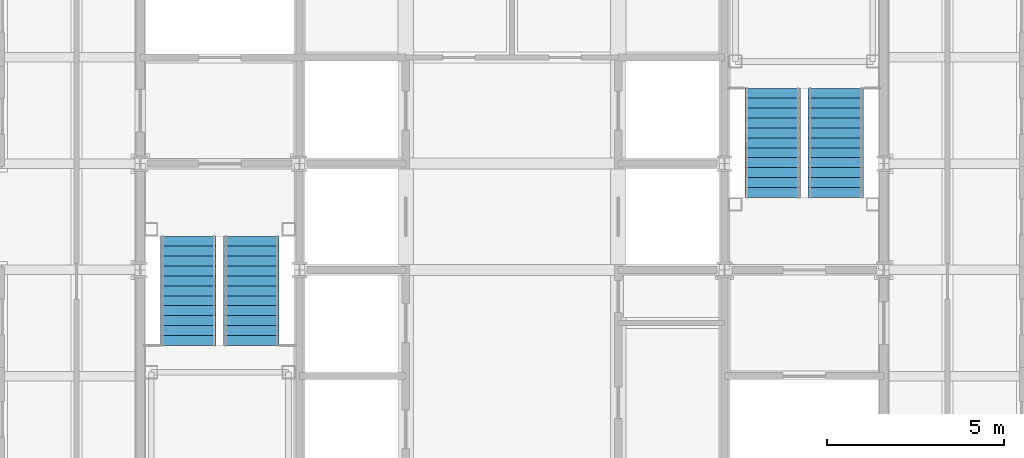
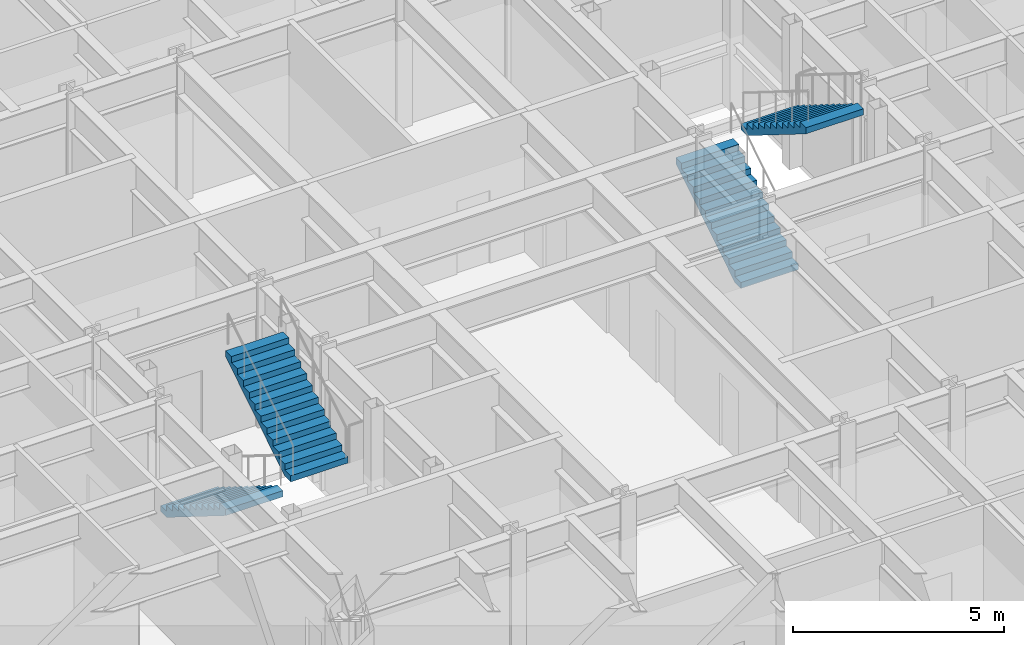
# One storey, part 13 of 15: 4 stair flights, 2 elements without a shape of their own.
"""IFC4 building model written with IfcOpenShell, lengths in metres."""

import ifcopenshell
import ifcopenshell.guid

model = None  # the IFC model being written
_history = None  # IfcOwnerHistory: only IFC2X3 demands one
_inside = {}  # id of a spatial element -> (the spatial element, [elements in it])
_under = {}  # id of a project, library or spatial element -> (it, [spatial elements below it])
_declared = {}  # id of a project -> (the project, [libraries it declares])
_typed = {}  # id of a type object -> (the type object, [elements of that type])
_made_of = {}  # id of a material, layer set ... -> (it, [elements and type objects made of it])


def new_model(schema):
    """Start an empty IFC model of exactly this schema.

    Asked for "IFC4X3", IfcOpenShell would pick the latest addendum, in which some entities
    have other attributes; the version numbers below select the first issue.
    IFC2X3 requires an IfcOwnerHistory on every rooted entity: one is made here for all.
    """
    global model, _history
    if schema == "IFC4X3":
        model = ifcopenshell.file(schema_version=(4, 3, 0, 0))
    else:
        model = ifcopenshell.file(schema=schema)
    _inside.clear()
    _under.clear()
    _declared.clear()
    _typed.clear()
    _made_of.clear()
    _history = None
    if model.schema == "IFC2X3":
        org = make("IfcOrganization", Name="unknown")
        user = make(
            "IfcPersonAndOrganization",
            ThePerson=make("IfcPerson", FamilyName="unknown"),
            TheOrganization=org,
        )
        app = make(
            "IfcApplication",
            ApplicationDeveloper=org,
            Version="unknown",
            ApplicationFullName="unknown",
            ApplicationIdentifier="unknown",
        )
        _history = make(
            "IfcOwnerHistory",
            OwningUser=user,
            OwningApplication=app,
            ChangeAction="ADDED",
            CreationDate=0,
        )
    return model


def make(cls, **values):
    """One entity of the class cls with the attributes given. An attribute that is None is left unset."""
    return model.create_entity(
        cls, **{name: value for name, value in values.items() if value is not None}
    )


def rooted(cls, **values):
    """An entity with a GlobalId (a new one), such as an element, a storey or a relation."""
    return make(cls, GlobalId=ifcopenshell.guid.new(), OwnerHistory=_history, **values)


def si_unit(unit_type, name, prefix=None):
    """IfcSIUnit, for example si_unit("LENGTHUNIT", "METRE", prefix="MILLI")."""
    return make("IfcSIUnit", UnitType=unit_type, Prefix=prefix, Name=name)


def assignment(units):
    """IfcUnitAssignment: the units of a project."""
    return None if units is None else make("IfcUnitAssignment", Units=units)


def point(xyz):
    """IfcCartesianPoint."""
    return None if xyz is None else make("IfcCartesianPoint", Coordinates=xyz)


def direction(xyz):
    """IfcDirection."""
    return None if xyz is None else make("IfcDirection", DirectionRatios=xyz)


def frame(location, z_axis=None, x_axis=None):
    """IfcAxis2Placement3D, a coordinate frame: its origin and axes. An axis left out is left unset."""
    return make(
        "IfcAxis2Placement3D",
        Location=point(location),
        Axis=direction(z_axis),
        RefDirection=direction(x_axis),
    )


def origin():
    """The frame at (0, 0, 0) with its axes left unset."""
    return frame((0.0, 0.0, 0.0))


def place(relative_to, where):
    """IfcLocalPlacement: puts the frame where relative to a parent placement (None: the world)."""
    return make(
        "IfcLocalPlacement", PlacementRelTo=relative_to, RelativePlacement=where
    )


def context(
    kind, dimensions, precision=None, world=None, true_north=None, identifier=None
):
    """IfcGeometricRepresentationContext, for example the 3D "Model" context."""
    return make(
        "IfcGeometricRepresentationContext",
        ContextIdentifier=identifier,
        ContextType=kind,
        CoordinateSpaceDimension=dimensions,
        Precision=precision,
        WorldCoordinateSystem=world,
        TrueNorth=true_north,
    )


def subcontext(parent, identifier, kind, view, scale=None):
    """IfcGeometricRepresentationSubContext, for example "Body" below "Model"."""
    return make(
        "IfcGeometricRepresentationSubContext",
        ContextIdentifier=identifier,
        ContextType=kind,
        ParentContext=parent,
        TargetScale=scale,
        TargetView=view,
    )


def project(units=None, contexts=None):
    """IfcProject with its units and contexts."""
    return rooted(
        "IfcProject",
        Name="project",
        RepresentationContexts=contexts,
        UnitsInContext=assignment(units),
    )


def spatial(cls, under=None, at=None, **own):
    """A site, building, storey or space (cls), placed at a placement, below another one or the project."""
    s = rooted(cls, ObjectPlacement=at, **own)
    if under is not None:
        _under.setdefault(under.id(), (under, []))[1].append(s)
    return s


def faces_of(points, faces, orient=None, outer=None):
    """IfcFace entities. A face is a list of loops; a loop is a list of indices into points, from 0.

    orient and outer hold one flag for each loop. By default every Orientation is true, the
    first loop of a face is its IfcFaceOuterBound and the others are IfcFaceBound.
    """
    made = []
    for i, loops in enumerate(faces):
        bounds = []
        for j, loop in enumerate(loops):
            is_outer = j == 0 if outer is None else outer[i][j]
            bounds.append(
                make(
                    "IfcFaceOuterBound" if is_outer else "IfcFaceBound",
                    Bound=make("IfcPolyLoop", Polygon=[points[k] for k in loop]),
                    Orientation=True if orient is None else orient[i][j],
                )
            )
        made.append(make("IfcFace", Bounds=bounds))
    return made


def faceted_brep(points, faces, orient=None, outer=None, voids=None):
    """IfcFacetedBrep: a solid bounded by flat faces; with voids (closed shells), ...WithVoids."""
    shared = [point(p) for p in points]
    hull = make("IfcClosedShell", CfsFaces=faces_of(shared, faces, orient, outer))
    if voids is None:
        return make("IfcFacetedBrep", Outer=hull)
    return make(
        "IfcFacetedBrepWithVoids",
        Outer=hull,
        Voids=[
            make(cls, CfsFaces=faces_of(shared, fs, o, b)) for cls, fs, o, b in voids
        ],
    )


def shape(context_of_items, identifier, shape_type, items):
    """IfcShapeRepresentation: the items that make up one representation, for example the "Body"."""
    return make(
        "IfcShapeRepresentation",
        ContextOfItems=context_of_items,
        RepresentationIdentifier=identifier,
        RepresentationType=shape_type,
        Items=items,
    )


def material(Name=None, Category=None):
    """IfcMaterial."""
    return make("IfcMaterial", Name=Name, Category=Category)


def made_of(thing, what):
    """Note that an element or type object is made of a material, layer set ...; save() writes the relation."""
    if what is not None:
        _made_of.setdefault(what.id(), (what, []))[1].append(thing)
    return thing


def type_object(cls, material=None, **own):
    """A type object (cls), such as IfcWallType, which elements share."""
    return made_of(rooted(cls, **own), material)


def element(
    cls,
    number,
    at=None,
    inside=None,
    cuts=None,
    type_object=None,
    material=None,
    context=None,
    identifier="Body",
    shape_type=None,
    held_by="IfcProductDefinitionShape",
    body=None,
    shapes=None,
    **own,
):
    """One element of the class cls, such as IfcWall. Its Tag is "e" and its number.

    at: its placement. inside: the storey or other place that contains it. cuts: it is an
    opening in that element (IfcRelVoidsElement). A single representation is given by context,
    identifier, shape_type and body (its items); several are given by shapes. held_by: the class
    of the entity that holds the representations. save() writes the other relations.
    """
    e = rooted(cls, Tag="e%d" % number, ObjectPlacement=at, **own)
    if body is not None:
        shapes = [shape(context, identifier, shape_type, body)]
    if shapes is not None:
        e.Representation = make(held_by, Representations=shapes)
    if inside is not None:
        _inside.setdefault(inside.id(), (inside, []))[1].append(e)
    if cuts is not None:
        rooted(
            "IfcRelVoidsElement", RelatingBuildingElement=cuts, RelatedOpeningElement=e
        )
    if type_object is not None:
        _typed.setdefault(type_object.id(), (type_object, []))[1].append(e)
    return made_of(e, material)


def aggregate(whole, parts):
    """IfcRelAggregates: a whole, such as a stair, and the parts it consists of."""
    return rooted("IfcRelAggregates", RelatingObject=whole, RelatedObjects=parts)


def save(model, path):
    """Write the relations noted so far, then the file.

    IfcRelAggregates (storeys below a building ...), IfcRelContainedInSpatialStructure (elements
    in a storey), IfcRelDefinesByType, IfcRelAssociatesMaterial and IfcRelDeclares: one each for
    every whole, place, type object, material and project.
    """
    for whole, parts in _under.values():
        aggregate(whole, parts)
    for where, things in _inside.values():
        rooted(
            "IfcRelContainedInSpatialStructure",
            RelatedElements=things,
            RelatingStructure=where,
        )
    for kind, things in _typed.values():
        rooted("IfcRelDefinesByType", RelatedObjects=things, RelatingType=kind)
    for what, things in _made_of.values():
        rooted("IfcRelAssociatesMaterial", RelatedObjects=things, RelatingMaterial=what)
    for by, libraries in _declared.values():
        rooted("IfcRelDeclares", RelatingContext=by, RelatedDefinitions=libraries)
    model.write(path)


model = new_model("IFC4")

# Units and contexts
model_context = context("Model", 3, precision=1e-05, world=origin(), true_north=direction((0.0, 1.0)))
body_context = subcontext(model_context, "Body", "Model", "MODEL_VIEW")
ifc_project = project(units=[si_unit("LENGTHUNIT", "METRE"), si_unit("AREAUNIT", "SQUARE_METRE"), si_unit("VOLUMEUNIT", "CUBIC_METRE"), si_unit("PLANEANGLEUNIT", "RADIAN"), si_unit("MASSUNIT", "GRAM", prefix="KILO")], contexts=[model_context])

# Site, building, storey
site_placement = place(None, origin())
site = spatial("IfcSite", under=ifc_project, at=site_placement, CompositionType="ELEMENT")
building_placement = place(site_placement, origin())
building = spatial("IfcBuilding", under=site, at=building_placement, Name="Chuquiago Exchange Tower", CompositionType="ELEMENT")
storey_placement = place(building_placement, frame((0.0, 0.0, 295.800048828125)))
storey = spatial("IfcBuildingStorey", under=building, at=storey_placement, Name="L66", CompositionType="ELEMENT", Elevation=295.800048828125)

# Stair, stair flights
ifc_material_1 = material(Name="Concrete C30/37, precast", Category="concrete")
stair_type_1 = type_object("IfcStairType", Name="ST1 half-turn stair 4200", PredefinedType="HALF_TURN_STAIR", material=ifc_material_1)
stair_1_placement = place(storey_placement, origin())
stair_1 = element("IfcStair", 1, at=stair_1_placement, inside=storey, type_object=stair_type_1, Name="Stair ST1 L66", PredefinedType="HALF_TURN_STAIR")
ifc_material_2 = material(Name="Concrete C30/37, precast", Category="concrete")
stair_flight_type = type_object("IfcStairFlightType", Name="ST-F flight 1570 for 4200 storey", PredefinedType="STRAIGHT", material=ifc_material_2)
stair_flight_1_placement = place(storey_placement, frame((13.360107421875, 21.949951171875, 0.0), z_axis=(0.0, 0.0, 1.0), x_axis=(0.0, -1.0, 0.0)))
stair_flight_1 = element("IfcStairFlight", 2, at=stair_flight_1_placement, type_object=stair_flight_type, Name="ST1 flight 1", NumberOfRisers=12, NumberOfTreads=11, PredefinedType="STRAIGHT", RiserHeight=0.175, TreadLength=0.28, context=body_context, shape_type="Brep", body=[
    faceted_brep([(0.0, 0.78515625, 0.0), (0.0, 0.78515625, 0.175048828125), (0.280029296875, 0.78515625, 0.175048828125), (0.280029296875, 0.78515625, 0.35009765625), (0.56005859375, 0.78515625, 0.35009765625), (0.56005859375, 0.78515625, 0.52490234375), (0.840087890625, 0.78515625, 0.52490234375), (0.840087890625, 0.78515625, 0.699951171875), (1.1201171875, 0.78515625, 0.699951171875), (1.1201171875, 0.78515625, 0.875), (1.39990234375, 0.78515625, 0.875), (1.39990234375, 0.78515625, 1.050048828125), (1.679931640625, 0.78515625, 1.050048828125), (1.679931640625, 0.78515625, 1.22509765625), (1.9599609375, 0.78515625, 1.22509765625), (1.9599609375, 0.78515625, 1.39990234375), (2.239990234375, 0.78515625, 1.39990234375), (2.239990234375, 0.78515625, 1.574951171875), (2.52001953125, 0.78515625, 1.574951171875), (2.52001953125, 0.78515625, 1.75), (2.800048828125, 0.78515625, 1.75), (2.800048828125, 0.78515625, 1.925048828125), (3.080078125, 0.78515625, 1.925048828125), (3.080078125, 0.78515625, 1.748291015625), (0.28271484375, 0.78515625, 0.0), (0.28271484375, -0.78515625, 0.0), (3.080078125, -0.78515625, 1.748291015625), (3.080078125, -0.78515625, 1.925048828125), (2.800048828125, -0.78515625, 1.925048828125), (2.800048828125, -0.78515625, 1.75), (2.52001953125, -0.78515625, 1.75), (2.52001953125, -0.78515625, 1.574951171875), (2.239990234375, -0.78515625, 1.574951171875), (2.239990234375, -0.78515625, 1.39990234375), (1.9599609375, -0.78515625, 1.39990234375), (1.9599609375, -0.78515625, 1.22509765625), (1.679931640625, -0.78515625, 1.22509765625), (1.679931640625, -0.78515625, 1.050048828125), (1.39990234375, -0.78515625, 1.050048828125), (1.39990234375, -0.78515625, 0.875), (1.1201171875, -0.78515625, 0.875), (1.1201171875, -0.78515625, 0.699951171875), (0.840087890625, -0.78515625, 0.699951171875), (0.840087890625, -0.78515625, 0.52490234375), (0.56005859375, -0.78515625, 0.52490234375), (0.56005859375, -0.78515625, 0.35009765625), (0.280029296875, -0.78515625, 0.35009765625), (0.280029296875, -0.78515625, 0.175048828125), (0.0, -0.78515625, 0.175048828125), (0.0, -0.78515625, 0.0), (0.0, 0.392578125, 0.0), (0.0, 0.392578125, 0.175048828125), (0.0, 0.0, 0.0), (0.0, 0.0, 0.175048828125), (0.0, -0.392578125, 0.0), (0.0, -0.392578125, 0.175048828125), (0.280029296875, 0.392578125, 0.175048828125), (0.280029296875, 0.0, 0.175048828125), (0.280029296875, -0.392578125, 0.175048828125), (0.280029296875, 0.392578125, 0.35009765625), (0.280029296875, 0.0, 0.35009765625), (0.280029296875, -0.392578125, 0.35009765625), (0.56005859375, 0.392578125, 0.35009765625), (0.56005859375, 0.0, 0.35009765625), (0.56005859375, -0.392578125, 0.35009765625), (0.56005859375, 0.392578125, 0.52490234375), (0.56005859375, 0.0, 0.52490234375), (0.56005859375, -0.392578125, 0.52490234375), (0.840087890625, 0.392578125, 0.52490234375), (0.840087890625, 0.0, 0.52490234375), (0.840087890625, -0.392578125, 0.52490234375), (0.840087890625, 0.392578125, 0.699951171875), (0.840087890625, 0.0, 0.699951171875), (0.840087890625, -0.392578125, 0.699951171875), (1.1201171875, 0.392578125, 0.699951171875), (1.1201171875, 0.0, 0.699951171875), (1.1201171875, -0.392578125, 0.699951171875), (1.1201171875, 0.392578125, 0.875), (1.1201171875, 0.0, 0.875), (1.1201171875, -0.392578125, 0.875), (1.39990234375, 0.392578125, 0.875), (1.39990234375, 0.0, 0.875), (1.39990234375, -0.392578125, 0.875), (1.39990234375, 0.392578125, 1.050048828125), (1.39990234375, 0.0, 1.050048828125), (1.39990234375, -0.392578125, 1.050048828125), (1.679931640625, 0.392578125, 1.050048828125), (1.679931640625, 0.0, 1.050048828125), (1.679931640625, -0.392578125, 1.050048828125), (1.679931640625, 0.392578125, 1.22509765625), (1.679931640625, 0.0, 1.22509765625), (1.679931640625, -0.392578125, 1.22509765625), (1.9599609375, 0.392578125, 1.22509765625), (1.9599609375, 0.0, 1.22509765625), (1.9599609375, -0.392578125, 1.22509765625), (1.9599609375, 0.392578125, 1.39990234375), (1.9599609375, 0.0, 1.39990234375), (1.9599609375, -0.392578125, 1.39990234375), (2.239990234375, 0.392578125, 1.39990234375), (2.239990234375, 0.0, 1.39990234375), (2.239990234375, -0.392578125, 1.39990234375), (2.239990234375, 0.392578125, 1.574951171875), (2.239990234375, 0.0, 1.574951171875), (2.239990234375, -0.392578125, 1.574951171875), (2.52001953125, 0.392578125, 1.574951171875), (2.52001953125, 0.0, 1.574951171875), (2.52001953125, -0.392578125, 1.574951171875), (2.52001953125, 0.392578125, 1.75), (2.52001953125, 0.0, 1.75), (2.52001953125, -0.392578125, 1.75), (2.800048828125, 0.392578125, 1.75), (2.800048828125, 0.0, 1.75), (2.800048828125, -0.392578125, 1.75), (2.800048828125, 0.392578125, 1.925048828125), (2.800048828125, 0.0, 1.925048828125), (2.800048828125, -0.392578125, 1.925048828125), (3.080078125, 0.392578125, 1.925048828125), (3.080078125, 0.0, 1.925048828125), (3.080078125, -0.392578125, 1.925048828125), (3.080078125, 0.392578125, 1.748291015625), (3.080078125, 0.0, 1.748291015625), (3.080078125, -0.392578125, 1.748291015625), (0.28271484375, 0.392578125, 0.0), (0.28271484375, 0.0, 0.0), (0.28271484375, -0.392578125, 0.0)], [[[0, 1, 2, 3, 4, 5, 6, 7, 8, 9, 10, 11, 12, 13, 14, 15, 16, 17, 18, 19, 20, 21, 22, 23, 24]], [[25, 26, 27, 28, 29, 30, 31, 32, 33, 34, 35, 36, 37, 38, 39, 40, 41, 42, 43, 44, 45, 46, 47, 48, 49]], [[1, 0, 50, 51]], [[51, 50, 52, 53]], [[53, 52, 54, 55]], [[55, 54, 49, 48]], [[2, 1, 51, 56]], [[56, 51, 53, 57]], [[57, 53, 55, 58]], [[58, 55, 48, 47]], [[3, 2, 56, 59]], [[59, 56, 57, 60]], [[60, 57, 58, 61]], [[61, 58, 47, 46]], [[4, 3, 59, 62]], [[62, 59, 60, 63]], [[63, 60, 61, 64]], [[64, 61, 46, 45]], [[5, 4, 62, 65]], [[65, 62, 63, 66]], [[66, 63, 64, 67]], [[67, 64, 45, 44]], [[6, 5, 65, 68]], [[68, 65, 66, 69]], [[69, 66, 67, 70]], [[70, 67, 44, 43]], [[7, 6, 68, 71]], [[71, 68, 69, 72]], [[72, 69, 70, 73]], [[73, 70, 43, 42]], [[8, 7, 71, 74]], [[74, 71, 72, 75]], [[75, 72, 73, 76]], [[76, 73, 42, 41]], [[9, 8, 74, 77]], [[77, 74, 75, 78]], [[78, 75, 76, 79]], [[79, 76, 41, 40]], [[10, 9, 77, 80]], [[80, 77, 78, 81]], [[81, 78, 79, 82]], [[82, 79, 40, 39]], [[11, 10, 80, 83]], [[83, 80, 81, 84]], [[84, 81, 82, 85]], [[85, 82, 39, 38]], [[12, 11, 83, 86]], [[86, 83, 84, 87]], [[87, 84, 85, 88]], [[88, 85, 38, 37]], [[13, 12, 86, 89]], [[89, 86, 87, 90]], [[90, 87, 88, 91]], [[91, 88, 37, 36]], [[14, 13, 89, 92]], [[92, 89, 90, 93]], [[93, 90, 91, 94]], [[94, 91, 36, 35]], [[15, 14, 92, 95]], [[95, 92, 93, 96]], [[96, 93, 94, 97]], [[97, 94, 35, 34]], [[16, 15, 95, 98]], [[98, 95, 96, 99]], [[99, 96, 97, 100]], [[100, 97, 34, 33]], [[17, 16, 98, 101]], [[101, 98, 99, 102]], [[102, 99, 100, 103]], [[103, 100, 33, 32]], [[18, 17, 101, 104]], [[104, 101, 102, 105]], [[105, 102, 103, 106]], [[106, 103, 32, 31]], [[19, 18, 104, 107]], [[107, 104, 105, 108]], [[108, 105, 106, 109]], [[109, 106, 31, 30]], [[20, 19, 107, 110]], [[110, 107, 108, 111]], [[111, 108, 109, 112]], [[112, 109, 30, 29]], [[21, 20, 110, 113]], [[113, 110, 111, 114]], [[114, 111, 112, 115]], [[115, 112, 29, 28]], [[22, 21, 113, 116]], [[116, 113, 114, 117]], [[117, 114, 115, 118]], [[118, 115, 28, 27]], [[23, 22, 116, 119]], [[119, 116, 117, 120]], [[120, 117, 118, 121]], [[121, 118, 27, 26]], [[24, 23, 119, 122]], [[122, 119, 120, 123]], [[123, 120, 121, 124]], [[124, 121, 26, 25]], [[0, 24, 122, 50]], [[50, 122, 123, 52]], [[52, 123, 124, 54]], [[54, 124, 25, 49]]]),
])
stair_flight_2_placement = place(storey_placement, frame((15.139892578125, 18.8701171875, 2.099853515625), z_axis=(0.0, 0.0, 1.0), x_axis=(0.0, 1.0, 0.0)))
stair_flight_2 = element("IfcStairFlight", 3, at=stair_flight_2_placement, type_object=stair_flight_type, Name="ST1 flight 2", NumberOfRisers=12, NumberOfTreads=11, PredefinedType="STRAIGHT", RiserHeight=0.175, TreadLength=0.28, context=body_context, shape_type="Brep", body=[
    faceted_brep([(0.0, 0.78515625, 0.0), (0.0, 0.78515625, 0.175048828125), (0.280029296875, 0.78515625, 0.175048828125), (0.280029296875, 0.78515625, 0.35009765625), (0.56005859375, 0.78515625, 0.35009765625), (0.56005859375, 0.78515625, 0.52490234375), (0.840087890625, 0.78515625, 0.52490234375), (0.840087890625, 0.78515625, 0.699951171875), (1.1201171875, 0.78515625, 0.699951171875), (1.1201171875, 0.78515625, 0.875), (1.39990234375, 0.78515625, 0.875), (1.39990234375, 0.78515625, 1.050048828125), (1.679931640625, 0.78515625, 1.050048828125), (1.679931640625, 0.78515625, 1.22509765625), (1.9599609375, 0.78515625, 1.22509765625), (1.9599609375, 0.78515625, 1.39990234375), (2.239990234375, 0.78515625, 1.39990234375), (2.239990234375, 0.78515625, 1.574951171875), (2.52001953125, 0.78515625, 1.574951171875), (2.52001953125, 0.78515625, 1.75), (2.800048828125, 0.78515625, 1.75), (2.800048828125, 0.78515625, 1.925048828125), (3.080078125, 0.78515625, 1.925048828125), (3.080078125, 0.78515625, 1.748291015625), (0.28271484375, 0.78515625, 0.0), (0.28271484375, -0.78515625, 0.0), (3.080078125, -0.78515625, 1.748291015625), (3.080078125, -0.78515625, 1.925048828125), (2.800048828125, -0.78515625, 1.925048828125), (2.800048828125, -0.78515625, 1.75), (2.52001953125, -0.78515625, 1.75), (2.52001953125, -0.78515625, 1.574951171875), (2.239990234375, -0.78515625, 1.574951171875), (2.239990234375, -0.78515625, 1.39990234375), (1.9599609375, -0.78515625, 1.39990234375), (1.9599609375, -0.78515625, 1.22509765625), (1.679931640625, -0.78515625, 1.22509765625), (1.679931640625, -0.78515625, 1.050048828125), (1.39990234375, -0.78515625, 1.050048828125), (1.39990234375, -0.78515625, 0.875), (1.1201171875, -0.78515625, 0.875), (1.1201171875, -0.78515625, 0.699951171875), (0.840087890625, -0.78515625, 0.699951171875), (0.840087890625, -0.78515625, 0.52490234375), (0.56005859375, -0.78515625, 0.52490234375), (0.56005859375, -0.78515625, 0.35009765625), (0.280029296875, -0.78515625, 0.35009765625), (0.280029296875, -0.78515625, 0.175048828125), (0.0, -0.78515625, 0.175048828125), (0.0, -0.78515625, 0.0), (0.0, 0.392578125, 0.0), (0.0, 0.392578125, 0.175048828125), (0.0, 0.0, 0.0), (0.0, 0.0, 0.175048828125), (0.0, -0.392578125, 0.0), (0.0, -0.392578125, 0.175048828125), (0.280029296875, 0.392578125, 0.175048828125), (0.280029296875, 0.0, 0.175048828125), (0.280029296875, -0.392578125, 0.175048828125), (0.280029296875, 0.392578125, 0.35009765625), (0.280029296875, 0.0, 0.35009765625), (0.280029296875, -0.392578125, 0.35009765625), (0.56005859375, 0.392578125, 0.35009765625), (0.56005859375, 0.0, 0.35009765625), (0.56005859375, -0.392578125, 0.35009765625), (0.56005859375, 0.392578125, 0.52490234375), (0.56005859375, 0.0, 0.52490234375), (0.56005859375, -0.392578125, 0.52490234375), (0.840087890625, 0.392578125, 0.52490234375), (0.840087890625, 0.0, 0.52490234375), (0.840087890625, -0.392578125, 0.52490234375), (0.840087890625, 0.392578125, 0.699951171875), (0.840087890625, 0.0, 0.699951171875), (0.840087890625, -0.392578125, 0.699951171875), (1.1201171875, 0.392578125, 0.699951171875), (1.1201171875, 0.0, 0.699951171875), (1.1201171875, -0.392578125, 0.699951171875), (1.1201171875, 0.392578125, 0.875), (1.1201171875, 0.0, 0.875), (1.1201171875, -0.392578125, 0.875), (1.39990234375, 0.392578125, 0.875), (1.39990234375, 0.0, 0.875), (1.39990234375, -0.392578125, 0.875), (1.39990234375, 0.392578125, 1.050048828125), (1.39990234375, 0.0, 1.050048828125), (1.39990234375, -0.392578125, 1.050048828125), (1.679931640625, 0.392578125, 1.050048828125), (1.679931640625, 0.0, 1.050048828125), (1.679931640625, -0.392578125, 1.050048828125), (1.679931640625, 0.392578125, 1.22509765625), (1.679931640625, 0.0, 1.22509765625), (1.679931640625, -0.392578125, 1.22509765625), (1.9599609375, 0.392578125, 1.22509765625), (1.9599609375, 0.0, 1.22509765625), (1.9599609375, -0.392578125, 1.22509765625), (1.9599609375, 0.392578125, 1.39990234375), (1.9599609375, 0.0, 1.39990234375), (1.9599609375, -0.392578125, 1.39990234375), (2.239990234375, 0.392578125, 1.39990234375), (2.239990234375, 0.0, 1.39990234375), (2.239990234375, -0.392578125, 1.39990234375), (2.239990234375, 0.392578125, 1.574951171875), (2.239990234375, 0.0, 1.574951171875), (2.239990234375, -0.392578125, 1.574951171875), (2.52001953125, 0.392578125, 1.574951171875), (2.52001953125, 0.0, 1.574951171875), (2.52001953125, -0.392578125, 1.574951171875), (2.52001953125, 0.392578125, 1.75), (2.52001953125, 0.0, 1.75), (2.52001953125, -0.392578125, 1.75), (2.800048828125, 0.392578125, 1.75), (2.800048828125, 0.0, 1.75), (2.800048828125, -0.392578125, 1.75), (2.800048828125, 0.392578125, 1.925048828125), (2.800048828125, 0.0, 1.925048828125), (2.800048828125, -0.392578125, 1.925048828125), (3.080078125, 0.392578125, 1.925048828125), (3.080078125, 0.0, 1.925048828125), (3.080078125, -0.392578125, 1.925048828125), (3.080078125, 0.392578125, 1.748291015625), (3.080078125, 0.0, 1.748291015625), (3.080078125, -0.392578125, 1.748291015625), (0.28271484375, 0.392578125, 0.0), (0.28271484375, 0.0, 0.0), (0.28271484375, -0.392578125, 0.0)], [[[0, 1, 2, 3, 4, 5, 6, 7, 8, 9, 10, 11, 12, 13, 14, 15, 16, 17, 18, 19, 20, 21, 22, 23, 24]], [[25, 26, 27, 28, 29, 30, 31, 32, 33, 34, 35, 36, 37, 38, 39, 40, 41, 42, 43, 44, 45, 46, 47, 48, 49]], [[1, 0, 50, 51]], [[51, 50, 52, 53]], [[53, 52, 54, 55]], [[55, 54, 49, 48]], [[2, 1, 51, 56]], [[56, 51, 53, 57]], [[57, 53, 55, 58]], [[58, 55, 48, 47]], [[3, 2, 56, 59]], [[59, 56, 57, 60]], [[60, 57, 58, 61]], [[61, 58, 47, 46]], [[4, 3, 59, 62]], [[62, 59, 60, 63]], [[63, 60, 61, 64]], [[64, 61, 46, 45]], [[5, 4, 62, 65]], [[65, 62, 63, 66]], [[66, 63, 64, 67]], [[67, 64, 45, 44]], [[6, 5, 65, 68]], [[68, 65, 66, 69]], [[69, 66, 67, 70]], [[70, 67, 44, 43]], [[7, 6, 68, 71]], [[71, 68, 69, 72]], [[72, 69, 70, 73]], [[73, 70, 43, 42]], [[8, 7, 71, 74]], [[74, 71, 72, 75]], [[75, 72, 73, 76]], [[76, 73, 42, 41]], [[9, 8, 74, 77]], [[77, 74, 75, 78]], [[78, 75, 76, 79]], [[79, 76, 41, 40]], [[10, 9, 77, 80]], [[80, 77, 78, 81]], [[81, 78, 79, 82]], [[82, 79, 40, 39]], [[11, 10, 80, 83]], [[83, 80, 81, 84]], [[84, 81, 82, 85]], [[85, 82, 39, 38]], [[12, 11, 83, 86]], [[86, 83, 84, 87]], [[87, 84, 85, 88]], [[88, 85, 38, 37]], [[13, 12, 86, 89]], [[89, 86, 87, 90]], [[90, 87, 88, 91]], [[91, 88, 37, 36]], [[14, 13, 89, 92]], [[92, 89, 90, 93]], [[93, 90, 91, 94]], [[94, 91, 36, 35]], [[15, 14, 92, 95]], [[95, 92, 93, 96]], [[96, 93, 94, 97]], [[97, 94, 35, 34]], [[16, 15, 95, 98]], [[98, 95, 96, 99]], [[99, 96, 97, 100]], [[100, 97, 34, 33]], [[17, 16, 98, 101]], [[101, 98, 99, 102]], [[102, 99, 100, 103]], [[103, 100, 33, 32]], [[18, 17, 101, 104]], [[104, 101, 102, 105]], [[105, 102, 103, 106]], [[106, 103, 32, 31]], [[19, 18, 104, 107]], [[107, 104, 105, 108]], [[108, 105, 106, 109]], [[109, 106, 31, 30]], [[20, 19, 107, 110]], [[110, 107, 108, 111]], [[111, 108, 109, 112]], [[112, 109, 30, 29]], [[21, 20, 110, 113]], [[113, 110, 111, 114]], [[114, 111, 112, 115]], [[115, 112, 29, 28]], [[22, 21, 113, 116]], [[116, 113, 114, 117]], [[117, 114, 115, 118]], [[118, 115, 28, 27]], [[23, 22, 116, 119]], [[119, 116, 117, 120]], [[120, 117, 118, 121]], [[121, 118, 27, 26]], [[24, 23, 119, 122]], [[122, 119, 120, 123]], [[123, 120, 121, 124]], [[124, 121, 26, 25]], [[0, 24, 122, 50]], [[50, 122, 123, 52]], [[52, 123, 124, 54]], [[54, 124, 25, 49]]]),
])
aggregate(stair_1, [stair_flight_1, stair_flight_2])

ifc_material_3 = material(Name="Concrete C30/37, precast", Category="concrete")
stair_type_2 = type_object("IfcStairType", Name="ST2 half-turn stair 4200", PredefinedType="HALF_TURN_STAIR", material=ifc_material_3)
stair_2_placement = place(storey_placement, origin())
stair_2 = element("IfcStair", 4, at=stair_2_placement, inside=storey, type_object=stair_type_2, Name="Stair ST2 L66", PredefinedType="HALF_TURN_STAIR")
stair_flight_3_placement = place(storey_placement, frame((29.860107421875, 23.050048828125, 0.0), z_axis=(0.0, 0.0, 1.0), x_axis=(0.0, 1.0, 0.0)))
stair_flight_3 = element("IfcStairFlight", 5, at=stair_flight_3_placement, type_object=stair_flight_type, Name="ST2 flight 1", NumberOfRisers=12, NumberOfTreads=11, PredefinedType="STRAIGHT", RiserHeight=0.175, TreadLength=0.28, context=body_context, shape_type="Brep", body=[
    faceted_brep([(0.0, 0.78515625, 0.0), (0.0, 0.78515625, 0.175048828125), (0.280029296875, 0.78515625, 0.175048828125), (0.280029296875, 0.78515625, 0.35009765625), (0.56005859375, 0.78515625, 0.35009765625), (0.56005859375, 0.78515625, 0.52490234375), (0.840087890625, 0.78515625, 0.52490234375), (0.840087890625, 0.78515625, 0.699951171875), (1.1201171875, 0.78515625, 0.699951171875), (1.1201171875, 0.78515625, 0.875), (1.39990234375, 0.78515625, 0.875), (1.39990234375, 0.78515625, 1.050048828125), (1.679931640625, 0.78515625, 1.050048828125), (1.679931640625, 0.78515625, 1.22509765625), (1.9599609375, 0.78515625, 1.22509765625), (1.9599609375, 0.78515625, 1.39990234375), (2.239990234375, 0.78515625, 1.39990234375), (2.239990234375, 0.78515625, 1.574951171875), (2.52001953125, 0.78515625, 1.574951171875), (2.52001953125, 0.78515625, 1.75), (2.800048828125, 0.78515625, 1.75), (2.800048828125, 0.78515625, 1.925048828125), (3.080078125, 0.78515625, 1.925048828125), (3.080078125, 0.78515625, 1.748291015625), (0.28271484375, 0.78515625, 0.0), (0.28271484375, -0.78515625, 0.0), (3.080078125, -0.78515625, 1.748291015625), (3.080078125, -0.78515625, 1.925048828125), (2.800048828125, -0.78515625, 1.925048828125), (2.800048828125, -0.78515625, 1.75), (2.52001953125, -0.78515625, 1.75), (2.52001953125, -0.78515625, 1.574951171875), (2.239990234375, -0.78515625, 1.574951171875), (2.239990234375, -0.78515625, 1.39990234375), (1.9599609375, -0.78515625, 1.39990234375), (1.9599609375, -0.78515625, 1.22509765625), (1.679931640625, -0.78515625, 1.22509765625), (1.679931640625, -0.78515625, 1.050048828125), (1.39990234375, -0.78515625, 1.050048828125), (1.39990234375, -0.78515625, 0.875), (1.1201171875, -0.78515625, 0.875), (1.1201171875, -0.78515625, 0.699951171875), (0.840087890625, -0.78515625, 0.699951171875), (0.840087890625, -0.78515625, 0.52490234375), (0.56005859375, -0.78515625, 0.52490234375), (0.56005859375, -0.78515625, 0.35009765625), (0.280029296875, -0.78515625, 0.35009765625), (0.280029296875, -0.78515625, 0.175048828125), (0.0, -0.78515625, 0.175048828125), (0.0, -0.78515625, 0.0), (0.0, 0.392578125, 0.0), (0.0, 0.392578125, 0.175048828125), (0.0, 0.0, 0.0), (0.0, 0.0, 0.175048828125), (0.0, -0.392578125, 0.0), (0.0, -0.392578125, 0.175048828125), (0.280029296875, 0.392578125, 0.175048828125), (0.280029296875, 0.0, 0.175048828125), (0.280029296875, -0.392578125, 0.175048828125), (0.280029296875, 0.392578125, 0.35009765625), (0.280029296875, 0.0, 0.35009765625), (0.280029296875, -0.392578125, 0.35009765625), (0.56005859375, 0.392578125, 0.35009765625), (0.56005859375, 0.0, 0.35009765625), (0.56005859375, -0.392578125, 0.35009765625), (0.56005859375, 0.392578125, 0.52490234375), (0.56005859375, 0.0, 0.52490234375), (0.56005859375, -0.392578125, 0.52490234375), (0.840087890625, 0.392578125, 0.52490234375), (0.840087890625, 0.0, 0.52490234375), (0.840087890625, -0.392578125, 0.52490234375), (0.840087890625, 0.392578125, 0.699951171875), (0.840087890625, 0.0, 0.699951171875), (0.840087890625, -0.392578125, 0.699951171875), (1.1201171875, 0.392578125, 0.699951171875), (1.1201171875, 0.0, 0.699951171875), (1.1201171875, -0.392578125, 0.699951171875), (1.1201171875, 0.392578125, 0.875), (1.1201171875, 0.0, 0.875), (1.1201171875, -0.392578125, 0.875), (1.39990234375, 0.392578125, 0.875), (1.39990234375, 0.0, 0.875), (1.39990234375, -0.392578125, 0.875), (1.39990234375, 0.392578125, 1.050048828125), (1.39990234375, 0.0, 1.050048828125), (1.39990234375, -0.392578125, 1.050048828125), (1.679931640625, 0.392578125, 1.050048828125), (1.679931640625, 0.0, 1.050048828125), (1.679931640625, -0.392578125, 1.050048828125), (1.679931640625, 0.392578125, 1.22509765625), (1.679931640625, 0.0, 1.22509765625), (1.679931640625, -0.392578125, 1.22509765625), (1.9599609375, 0.392578125, 1.22509765625), (1.9599609375, 0.0, 1.22509765625), (1.9599609375, -0.392578125, 1.22509765625), (1.9599609375, 0.392578125, 1.39990234375), (1.9599609375, 0.0, 1.39990234375), (1.9599609375, -0.392578125, 1.39990234375), (2.239990234375, 0.392578125, 1.39990234375), (2.239990234375, 0.0, 1.39990234375), (2.239990234375, -0.392578125, 1.39990234375), (2.239990234375, 0.392578125, 1.574951171875), (2.239990234375, 0.0, 1.574951171875), (2.239990234375, -0.392578125, 1.574951171875), (2.52001953125, 0.392578125, 1.574951171875), (2.52001953125, 0.0, 1.574951171875), (2.52001953125, -0.392578125, 1.574951171875), (2.52001953125, 0.392578125, 1.75), (2.52001953125, 0.0, 1.75), (2.52001953125, -0.392578125, 1.75), (2.800048828125, 0.392578125, 1.75), (2.800048828125, 0.0, 1.75), (2.800048828125, -0.392578125, 1.75), (2.800048828125, 0.392578125, 1.925048828125), (2.800048828125, 0.0, 1.925048828125), (2.800048828125, -0.392578125, 1.925048828125), (3.080078125, 0.392578125, 1.925048828125), (3.080078125, 0.0, 1.925048828125), (3.080078125, -0.392578125, 1.925048828125), (3.080078125, 0.392578125, 1.748291015625), (3.080078125, 0.0, 1.748291015625), (3.080078125, -0.392578125, 1.748291015625), (0.28271484375, 0.392578125, 0.0), (0.28271484375, 0.0, 0.0), (0.28271484375, -0.392578125, 0.0)], [[[0, 1, 2, 3, 4, 5, 6, 7, 8, 9, 10, 11, 12, 13, 14, 15, 16, 17, 18, 19, 20, 21, 22, 23, 24]], [[25, 26, 27, 28, 29, 30, 31, 32, 33, 34, 35, 36, 37, 38, 39, 40, 41, 42, 43, 44, 45, 46, 47, 48, 49]], [[1, 0, 50, 51]], [[51, 50, 52, 53]], [[53, 52, 54, 55]], [[55, 54, 49, 48]], [[2, 1, 51, 56]], [[56, 51, 53, 57]], [[57, 53, 55, 58]], [[58, 55, 48, 47]], [[3, 2, 56, 59]], [[59, 56, 57, 60]], [[60, 57, 58, 61]], [[61, 58, 47, 46]], [[4, 3, 59, 62]], [[62, 59, 60, 63]], [[63, 60, 61, 64]], [[64, 61, 46, 45]], [[5, 4, 62, 65]], [[65, 62, 63, 66]], [[66, 63, 64, 67]], [[67, 64, 45, 44]], [[6, 5, 65, 68]], [[68, 65, 66, 69]], [[69, 66, 67, 70]], [[70, 67, 44, 43]], [[7, 6, 68, 71]], [[71, 68, 69, 72]], [[72, 69, 70, 73]], [[73, 70, 43, 42]], [[8, 7, 71, 74]], [[74, 71, 72, 75]], [[75, 72, 73, 76]], [[76, 73, 42, 41]], [[9, 8, 74, 77]], [[77, 74, 75, 78]], [[78, 75, 76, 79]], [[79, 76, 41, 40]], [[10, 9, 77, 80]], [[80, 77, 78, 81]], [[81, 78, 79, 82]], [[82, 79, 40, 39]], [[11, 10, 80, 83]], [[83, 80, 81, 84]], [[84, 81, 82, 85]], [[85, 82, 39, 38]], [[12, 11, 83, 86]], [[86, 83, 84, 87]], [[87, 84, 85, 88]], [[88, 85, 38, 37]], [[13, 12, 86, 89]], [[89, 86, 87, 90]], [[90, 87, 88, 91]], [[91, 88, 37, 36]], [[14, 13, 89, 92]], [[92, 89, 90, 93]], [[93, 90, 91, 94]], [[94, 91, 36, 35]], [[15, 14, 92, 95]], [[95, 92, 93, 96]], [[96, 93, 94, 97]], [[97, 94, 35, 34]], [[16, 15, 95, 98]], [[98, 95, 96, 99]], [[99, 96, 97, 100]], [[100, 97, 34, 33]], [[17, 16, 98, 101]], [[101, 98, 99, 102]], [[102, 99, 100, 103]], [[103, 100, 33, 32]], [[18, 17, 101, 104]], [[104, 101, 102, 105]], [[105, 102, 103, 106]], [[106, 103, 32, 31]], [[19, 18, 104, 107]], [[107, 104, 105, 108]], [[108, 105, 106, 109]], [[109, 106, 31, 30]], [[20, 19, 107, 110]], [[110, 107, 108, 111]], [[111, 108, 109, 112]], [[112, 109, 30, 29]], [[21, 20, 110, 113]], [[113, 110, 111, 114]], [[114, 111, 112, 115]], [[115, 112, 29, 28]], [[22, 21, 113, 116]], [[116, 113, 114, 117]], [[117, 114, 115, 118]], [[118, 115, 28, 27]], [[23, 22, 116, 119]], [[119, 116, 117, 120]], [[120, 117, 118, 121]], [[121, 118, 27, 26]], [[24, 23, 119, 122]], [[122, 119, 120, 123]], [[123, 120, 121, 124]], [[124, 121, 26, 25]], [[0, 24, 122, 50]], [[50, 122, 123, 52]], [[52, 123, 124, 54]], [[54, 124, 25, 49]]]),
])
stair_flight_4_placement = place(storey_placement, frame((31.639892578125, 26.1298828125, 2.099853515625), z_axis=(0.0, 0.0, 1.0), x_axis=(0.0, -1.0, 0.0)))
stair_flight_4 = element("IfcStairFlight", 6, at=stair_flight_4_placement, type_object=stair_flight_type, Name="ST2 flight 2", NumberOfRisers=12, NumberOfTreads=11, PredefinedType="STRAIGHT", RiserHeight=0.175, TreadLength=0.28, context=body_context, shape_type="Brep", body=[
    faceted_brep([(0.0, 0.78515625, 0.0), (0.0, 0.78515625, 0.175048828125), (0.280029296875, 0.78515625, 0.175048828125), (0.280029296875, 0.78515625, 0.35009765625), (0.56005859375, 0.78515625, 0.35009765625), (0.56005859375, 0.78515625, 0.52490234375), (0.840087890625, 0.78515625, 0.52490234375), (0.840087890625, 0.78515625, 0.699951171875), (1.1201171875, 0.78515625, 0.699951171875), (1.1201171875, 0.78515625, 0.875), (1.39990234375, 0.78515625, 0.875), (1.39990234375, 0.78515625, 1.050048828125), (1.679931640625, 0.78515625, 1.050048828125), (1.679931640625, 0.78515625, 1.22509765625), (1.9599609375, 0.78515625, 1.22509765625), (1.9599609375, 0.78515625, 1.39990234375), (2.239990234375, 0.78515625, 1.39990234375), (2.239990234375, 0.78515625, 1.574951171875), (2.52001953125, 0.78515625, 1.574951171875), (2.52001953125, 0.78515625, 1.75), (2.800048828125, 0.78515625, 1.75), (2.800048828125, 0.78515625, 1.925048828125), (3.080078125, 0.78515625, 1.925048828125), (3.080078125, 0.78515625, 1.748291015625), (0.28271484375, 0.78515625, 0.0), (0.28271484375, -0.78515625, 0.0), (3.080078125, -0.78515625, 1.748291015625), (3.080078125, -0.78515625, 1.925048828125), (2.800048828125, -0.78515625, 1.925048828125), (2.800048828125, -0.78515625, 1.75), (2.52001953125, -0.78515625, 1.75), (2.52001953125, -0.78515625, 1.574951171875), (2.239990234375, -0.78515625, 1.574951171875), (2.239990234375, -0.78515625, 1.39990234375), (1.9599609375, -0.78515625, 1.39990234375), (1.9599609375, -0.78515625, 1.22509765625), (1.679931640625, -0.78515625, 1.22509765625), (1.679931640625, -0.78515625, 1.050048828125), (1.39990234375, -0.78515625, 1.050048828125), (1.39990234375, -0.78515625, 0.875), (1.1201171875, -0.78515625, 0.875), (1.1201171875, -0.78515625, 0.699951171875), (0.840087890625, -0.78515625, 0.699951171875), (0.840087890625, -0.78515625, 0.52490234375), (0.56005859375, -0.78515625, 0.52490234375), (0.56005859375, -0.78515625, 0.35009765625), (0.280029296875, -0.78515625, 0.35009765625), (0.280029296875, -0.78515625, 0.175048828125), (0.0, -0.78515625, 0.175048828125), (0.0, -0.78515625, 0.0), (0.0, 0.392578125, 0.0), (0.0, 0.392578125, 0.175048828125), (0.0, 0.0, 0.0), (0.0, 0.0, 0.175048828125), (0.0, -0.392578125, 0.0), (0.0, -0.392578125, 0.175048828125), (0.280029296875, 0.392578125, 0.175048828125), (0.280029296875, 0.0, 0.175048828125), (0.280029296875, -0.392578125, 0.175048828125), (0.280029296875, 0.392578125, 0.35009765625), (0.280029296875, 0.0, 0.35009765625), (0.280029296875, -0.392578125, 0.35009765625), (0.56005859375, 0.392578125, 0.35009765625), (0.56005859375, 0.0, 0.35009765625), (0.56005859375, -0.392578125, 0.35009765625), (0.56005859375, 0.392578125, 0.52490234375), (0.56005859375, 0.0, 0.52490234375), (0.56005859375, -0.392578125, 0.52490234375), (0.840087890625, 0.392578125, 0.52490234375), (0.840087890625, 0.0, 0.52490234375), (0.840087890625, -0.392578125, 0.52490234375), (0.840087890625, 0.392578125, 0.699951171875), (0.840087890625, 0.0, 0.699951171875), (0.840087890625, -0.392578125, 0.699951171875), (1.1201171875, 0.392578125, 0.699951171875), (1.1201171875, 0.0, 0.699951171875), (1.1201171875, -0.392578125, 0.699951171875), (1.1201171875, 0.392578125, 0.875), (1.1201171875, 0.0, 0.875), (1.1201171875, -0.392578125, 0.875), (1.39990234375, 0.392578125, 0.875), (1.39990234375, 0.0, 0.875), (1.39990234375, -0.392578125, 0.875), (1.39990234375, 0.392578125, 1.050048828125), (1.39990234375, 0.0, 1.050048828125), (1.39990234375, -0.392578125, 1.050048828125), (1.679931640625, 0.392578125, 1.050048828125), (1.679931640625, 0.0, 1.050048828125), (1.679931640625, -0.392578125, 1.050048828125), (1.679931640625, 0.392578125, 1.22509765625), (1.679931640625, 0.0, 1.22509765625), (1.679931640625, -0.392578125, 1.22509765625), (1.9599609375, 0.392578125, 1.22509765625), (1.9599609375, 0.0, 1.22509765625), (1.9599609375, -0.392578125, 1.22509765625), (1.9599609375, 0.392578125, 1.39990234375), (1.9599609375, 0.0, 1.39990234375), (1.9599609375, -0.392578125, 1.39990234375), (2.239990234375, 0.392578125, 1.39990234375), (2.239990234375, 0.0, 1.39990234375), (2.239990234375, -0.392578125, 1.39990234375), (2.239990234375, 0.392578125, 1.574951171875), (2.239990234375, 0.0, 1.574951171875), (2.239990234375, -0.392578125, 1.574951171875), (2.52001953125, 0.392578125, 1.574951171875), (2.52001953125, 0.0, 1.574951171875), (2.52001953125, -0.392578125, 1.574951171875), (2.52001953125, 0.392578125, 1.75), (2.52001953125, 0.0, 1.75), (2.52001953125, -0.392578125, 1.75), (2.800048828125, 0.392578125, 1.75), (2.800048828125, 0.0, 1.75), (2.800048828125, -0.392578125, 1.75), (2.800048828125, 0.392578125, 1.925048828125), (2.800048828125, 0.0, 1.925048828125), (2.800048828125, -0.392578125, 1.925048828125), (3.080078125, 0.392578125, 1.925048828125), (3.080078125, 0.0, 1.925048828125), (3.080078125, -0.392578125, 1.925048828125), (3.080078125, 0.392578125, 1.748291015625), (3.080078125, 0.0, 1.748291015625), (3.080078125, -0.392578125, 1.748291015625), (0.28271484375, 0.392578125, 0.0), (0.28271484375, 0.0, 0.0), (0.28271484375, -0.392578125, 0.0)], [[[0, 1, 2, 3, 4, 5, 6, 7, 8, 9, 10, 11, 12, 13, 14, 15, 16, 17, 18, 19, 20, 21, 22, 23, 24]], [[25, 26, 27, 28, 29, 30, 31, 32, 33, 34, 35, 36, 37, 38, 39, 40, 41, 42, 43, 44, 45, 46, 47, 48, 49]], [[1, 0, 50, 51]], [[51, 50, 52, 53]], [[53, 52, 54, 55]], [[55, 54, 49, 48]], [[2, 1, 51, 56]], [[56, 51, 53, 57]], [[57, 53, 55, 58]], [[58, 55, 48, 47]], [[3, 2, 56, 59]], [[59, 56, 57, 60]], [[60, 57, 58, 61]], [[61, 58, 47, 46]], [[4, 3, 59, 62]], [[62, 59, 60, 63]], [[63, 60, 61, 64]], [[64, 61, 46, 45]], [[5, 4, 62, 65]], [[65, 62, 63, 66]], [[66, 63, 64, 67]], [[67, 64, 45, 44]], [[6, 5, 65, 68]], [[68, 65, 66, 69]], [[69, 66, 67, 70]], [[70, 67, 44, 43]], [[7, 6, 68, 71]], [[71, 68, 69, 72]], [[72, 69, 70, 73]], [[73, 70, 43, 42]], [[8, 7, 71, 74]], [[74, 71, 72, 75]], [[75, 72, 73, 76]], [[76, 73, 42, 41]], [[9, 8, 74, 77]], [[77, 74, 75, 78]], [[78, 75, 76, 79]], [[79, 76, 41, 40]], [[10, 9, 77, 80]], [[80, 77, 78, 81]], [[81, 78, 79, 82]], [[82, 79, 40, 39]], [[11, 10, 80, 83]], [[83, 80, 81, 84]], [[84, 81, 82, 85]], [[85, 82, 39, 38]], [[12, 11, 83, 86]], [[86, 83, 84, 87]], [[87, 84, 85, 88]], [[88, 85, 38, 37]], [[13, 12, 86, 89]], [[89, 86, 87, 90]], [[90, 87, 88, 91]], [[91, 88, 37, 36]], [[14, 13, 89, 92]], [[92, 89, 90, 93]], [[93, 90, 91, 94]], [[94, 91, 36, 35]], [[15, 14, 92, 95]], [[95, 92, 93, 96]], [[96, 93, 94, 97]], [[97, 94, 35, 34]], [[16, 15, 95, 98]], [[98, 95, 96, 99]], [[99, 96, 97, 100]], [[100, 97, 34, 33]], [[17, 16, 98, 101]], [[101, 98, 99, 102]], [[102, 99, 100, 103]], [[103, 100, 33, 32]], [[18, 17, 101, 104]], [[104, 101, 102, 105]], [[105, 102, 103, 106]], [[106, 103, 32, 31]], [[19, 18, 104, 107]], [[107, 104, 105, 108]], [[108, 105, 106, 109]], [[109, 106, 31, 30]], [[20, 19, 107, 110]], [[110, 107, 108, 111]], [[111, 108, 109, 112]], [[112, 109, 30, 29]], [[21, 20, 110, 113]], [[113, 110, 111, 114]], [[114, 111, 112, 115]], [[115, 112, 29, 28]], [[22, 21, 113, 116]], [[116, 113, 114, 117]], [[117, 114, 115, 118]], [[118, 115, 28, 27]], [[23, 22, 116, 119]], [[119, 116, 117, 120]], [[120, 117, 118, 121]], [[121, 118, 27, 26]], [[24, 23, 119, 122]], [[122, 119, 120, 123]], [[123, 120, 121, 124]], [[124, 121, 26, 25]], [[0, 24, 122, 50]], [[50, 122, 123, 52]], [[52, 123, 124, 54]], [[54, 124, 25, 49]]]),
])
aggregate(stair_2, [stair_flight_3, stair_flight_4])

save(model, "model.ifc")
